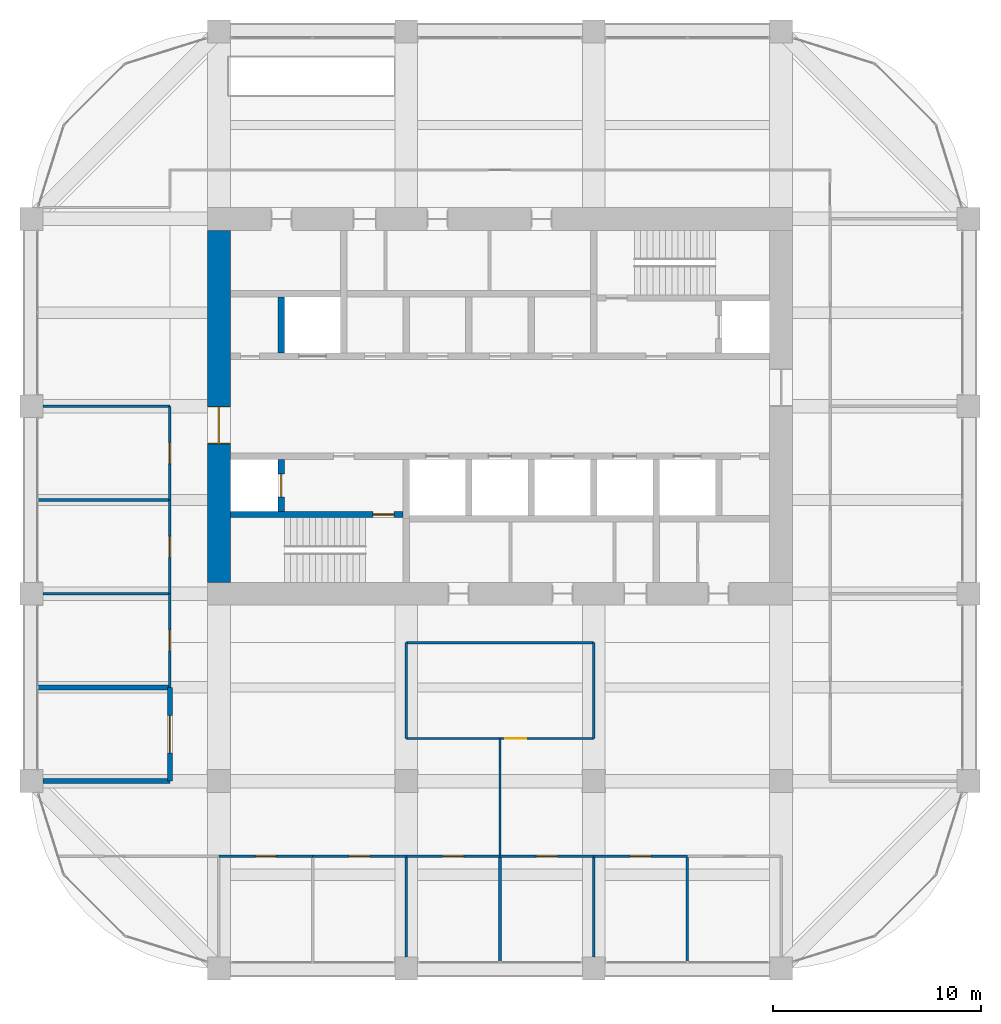
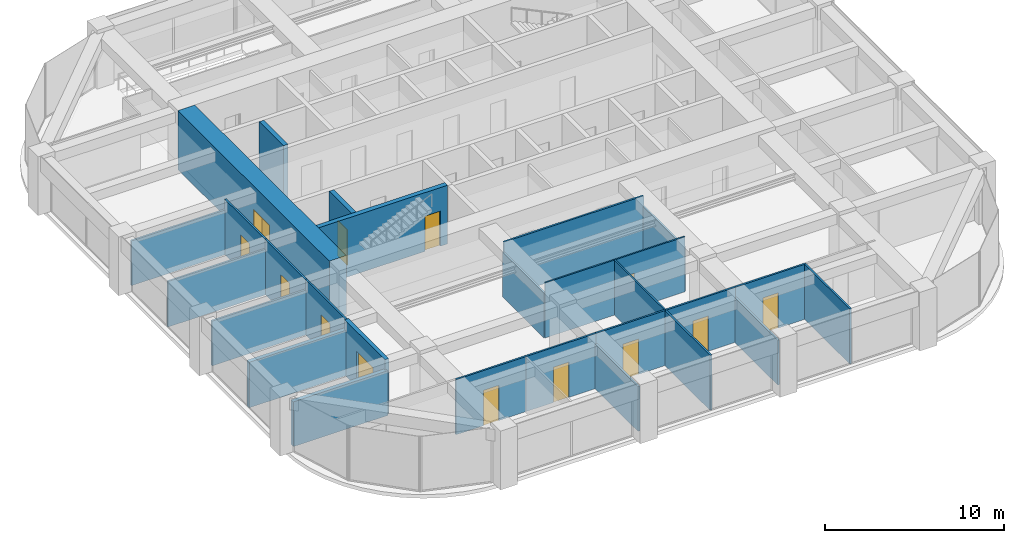
# One storey, part 41 of 44: 27 walls, 13 doors, 13 openings.
"""IFC4 building model written with IfcOpenShell, lengths in metres."""

import ifcopenshell
import ifcopenshell.guid

model = None  # the IFC model being written
_history = None  # IfcOwnerHistory: only IFC2X3 demands one
_inside = {}  # id of a spatial element -> (the spatial element, [elements in it])
_under = {}  # id of a project, library or spatial element -> (it, [spatial elements below it])
_declared = {}  # id of a project -> (the project, [libraries it declares])
_typed = {}  # id of a type object -> (the type object, [elements of that type])
_made_of = {}  # id of a material, layer set ... -> (it, [elements and type objects made of it])


def new_model(schema):
    """Start an empty IFC model of exactly this schema.

    Asked for "IFC4X3", IfcOpenShell would pick the latest addendum, in which some entities
    have other attributes; the version numbers below select the first issue.
    IFC2X3 requires an IfcOwnerHistory on every rooted entity: one is made here for all.
    """
    global model, _history
    if schema == "IFC4X3":
        model = ifcopenshell.file(schema_version=(4, 3, 0, 0))
    else:
        model = ifcopenshell.file(schema=schema)
    _inside.clear()
    _under.clear()
    _declared.clear()
    _typed.clear()
    _made_of.clear()
    _history = None
    if model.schema == "IFC2X3":
        org = make("IfcOrganization", Name="unknown")
        user = make(
            "IfcPersonAndOrganization",
            ThePerson=make("IfcPerson", FamilyName="unknown"),
            TheOrganization=org,
        )
        app = make(
            "IfcApplication",
            ApplicationDeveloper=org,
            Version="unknown",
            ApplicationFullName="unknown",
            ApplicationIdentifier="unknown",
        )
        _history = make(
            "IfcOwnerHistory",
            OwningUser=user,
            OwningApplication=app,
            ChangeAction="ADDED",
            CreationDate=0,
        )
    return model


def make(cls, **values):
    """One entity of the class cls with the attributes given. An attribute that is None is left unset."""
    return model.create_entity(
        cls, **{name: value for name, value in values.items() if value is not None}
    )


def rooted(cls, **values):
    """An entity with a GlobalId (a new one), such as an element, a storey or a relation."""
    return make(cls, GlobalId=ifcopenshell.guid.new(), OwnerHistory=_history, **values)


def si_unit(unit_type, name, prefix=None):
    """IfcSIUnit, for example si_unit("LENGTHUNIT", "METRE", prefix="MILLI")."""
    return make("IfcSIUnit", UnitType=unit_type, Prefix=prefix, Name=name)


def assignment(units):
    """IfcUnitAssignment: the units of a project."""
    return None if units is None else make("IfcUnitAssignment", Units=units)


def point(xyz):
    """IfcCartesianPoint."""
    return None if xyz is None else make("IfcCartesianPoint", Coordinates=xyz)


def direction(xyz):
    """IfcDirection."""
    return None if xyz is None else make("IfcDirection", DirectionRatios=xyz)


def frame(location, z_axis=None, x_axis=None):
    """IfcAxis2Placement3D, a coordinate frame: its origin and axes. An axis left out is left unset."""
    return make(
        "IfcAxis2Placement3D",
        Location=point(location),
        Axis=direction(z_axis),
        RefDirection=direction(x_axis),
    )


def frame_2d(location, x_axis=None):
    """IfcAxis2Placement2D, a coordinate frame in the plane: its origin and x axis."""
    return make(
        "IfcAxis2Placement2D", Location=point(location), RefDirection=direction(x_axis)
    )


def origin():
    """The frame at (0, 0, 0) with its axes left unset."""
    return frame((0.0, 0.0, 0.0))


def place(relative_to, where):
    """IfcLocalPlacement: puts the frame where relative to a parent placement (None: the world)."""
    return make(
        "IfcLocalPlacement", PlacementRelTo=relative_to, RelativePlacement=where
    )


def context(
    kind, dimensions, precision=None, world=None, true_north=None, identifier=None
):
    """IfcGeometricRepresentationContext, for example the 3D "Model" context."""
    return make(
        "IfcGeometricRepresentationContext",
        ContextIdentifier=identifier,
        ContextType=kind,
        CoordinateSpaceDimension=dimensions,
        Precision=precision,
        WorldCoordinateSystem=world,
        TrueNorth=true_north,
    )


def subcontext(parent, identifier, kind, view, scale=None):
    """IfcGeometricRepresentationSubContext, for example "Body" below "Model"."""
    return make(
        "IfcGeometricRepresentationSubContext",
        ContextIdentifier=identifier,
        ContextType=kind,
        ParentContext=parent,
        TargetScale=scale,
        TargetView=view,
    )


def project(units=None, contexts=None):
    """IfcProject with its units and contexts."""
    return rooted(
        "IfcProject",
        Name="project",
        RepresentationContexts=contexts,
        UnitsInContext=assignment(units),
    )


def spatial(cls, under=None, at=None, **own):
    """A site, building, storey or space (cls), placed at a placement, below another one or the project."""
    s = rooted(cls, ObjectPlacement=at, **own)
    if under is not None:
        _under.setdefault(under.id(), (under, []))[1].append(s)
    return s


def profile(cls, at=None, kind="AREA", **sizes):
    """A parametric profile (cls). Its sizes go by their IFC names, for example OverallWidth=200.0."""
    return make(cls, ProfileType=kind, Position=at, **sizes)


def rectangle(**sizes):
    """IfcRectangleProfileDef."""
    return profile("IfcRectangleProfileDef", **sizes)


def extrude(swept, where, along, depth):
    """IfcExtrudedAreaSolid: the profile swept, set in the frame where, extruded along a direction by depth."""
    return make(
        "IfcExtrudedAreaSolid",
        SweptArea=swept,
        Position=where,
        ExtrudedDirection=direction(along),
        Depth=depth,
    )


def shape(context_of_items, identifier, shape_type, items):
    """IfcShapeRepresentation: the items that make up one representation, for example the "Body"."""
    return make(
        "IfcShapeRepresentation",
        ContextOfItems=context_of_items,
        RepresentationIdentifier=identifier,
        RepresentationType=shape_type,
        Items=items,
    )


def material(Name=None, Category=None):
    """IfcMaterial."""
    return make("IfcMaterial", Name=Name, Category=Category)


def layer(
    of_material, thickness, ventilated=None, Name=None, Category=None, Priority=None
):
    """IfcMaterialLayer: one layer of a wall or slab, of a material (None: an air gap)."""
    return make(
        "IfcMaterialLayer",
        Material=of_material,
        LayerThickness=thickness,
        IsVentilated=ventilated,
        Name=Name,
        Category=Category,
        Priority=Priority,
    )


def layer_set(layers, Name=None):
    """IfcMaterialLayerSet."""
    return make("IfcMaterialLayerSet", MaterialLayers=layers, LayerSetName=Name)


def made_of(thing, what):
    """Note that an element or type object is made of a material, layer set ...; save() writes the relation."""
    if what is not None:
        _made_of.setdefault(what.id(), (what, []))[1].append(thing)
    return thing


def type_object(cls, material=None, **own):
    """A type object (cls), such as IfcWallType, which elements share."""
    return made_of(rooted(cls, **own), material)


def element(
    cls,
    number,
    at=None,
    inside=None,
    cuts=None,
    type_object=None,
    material=None,
    context=None,
    identifier="Body",
    shape_type=None,
    held_by="IfcProductDefinitionShape",
    body=None,
    shapes=None,
    **own,
):
    """One element of the class cls, such as IfcWall. Its Tag is "e" and its number.

    at: its placement. inside: the storey or other place that contains it. cuts: it is an
    opening in that element (IfcRelVoidsElement). A single representation is given by context,
    identifier, shape_type and body (its items); several are given by shapes. held_by: the class
    of the entity that holds the representations. save() writes the other relations.
    """
    e = rooted(cls, Tag="e%d" % number, ObjectPlacement=at, **own)
    if body is not None:
        shapes = [shape(context, identifier, shape_type, body)]
    if shapes is not None:
        e.Representation = make(held_by, Representations=shapes)
    if inside is not None:
        _inside.setdefault(inside.id(), (inside, []))[1].append(e)
    if cuts is not None:
        rooted(
            "IfcRelVoidsElement", RelatingBuildingElement=cuts, RelatedOpeningElement=e
        )
    if type_object is not None:
        _typed.setdefault(type_object.id(), (type_object, []))[1].append(e)
    return made_of(e, material)


def fill(opening, filler):
    """IfcRelFillsElement: the door or window that sits in an opening."""
    return rooted(
        "IfcRelFillsElement",
        RelatingOpeningElement=opening,
        RelatedBuildingElement=filler,
    )


def aggregate(whole, parts):
    """IfcRelAggregates: a whole, such as a stair, and the parts it consists of."""
    return rooted("IfcRelAggregates", RelatingObject=whole, RelatedObjects=parts)


def save(model, path):
    """Write the relations noted so far, then the file.

    IfcRelAggregates (storeys below a building ...), IfcRelContainedInSpatialStructure (elements
    in a storey), IfcRelDefinesByType, IfcRelAssociatesMaterial and IfcRelDeclares: one each for
    every whole, place, type object, material and project.
    """
    for whole, parts in _under.values():
        aggregate(whole, parts)
    for where, things in _inside.values():
        rooted(
            "IfcRelContainedInSpatialStructure",
            RelatedElements=things,
            RelatingStructure=where,
        )
    for kind, things in _typed.values():
        rooted("IfcRelDefinesByType", RelatedObjects=things, RelatingType=kind)
    for what, things in _made_of.values():
        rooted("IfcRelAssociatesMaterial", RelatedObjects=things, RelatingMaterial=what)
    for by, libraries in _declared.values():
        rooted("IfcRelDeclares", RelatingContext=by, RelatedDefinitions=libraries)
    model.write(path)


model = new_model("IFC4")

# Units and contexts
model_context = context("Model", 3, precision=1e-05, world=origin(), true_north=direction((0.0, 1.0)))
body_context = subcontext(model_context, "Body", "Model", "MODEL_VIEW")
ifc_project = project(units=[si_unit("LENGTHUNIT", "METRE"), si_unit("AREAUNIT", "SQUARE_METRE"), si_unit("VOLUMEUNIT", "CUBIC_METRE"), si_unit("PLANEANGLEUNIT", "RADIAN"), si_unit("MASSUNIT", "GRAM", prefix="KILO")], contexts=[model_context])

# Site, building, storey
site_placement = place(None, origin())
site = spatial("IfcSite", under=ifc_project, at=site_placement, CompositionType="ELEMENT")
building_placement = place(site_placement, origin())
building = spatial("IfcBuilding", under=site, at=building_placement, Name="Zorevar Civic Tower", CompositionType="ELEMENT")
storey_placement = place(building_placement, frame((0.0, 0.0, 275.39990234375)))
storey = spatial("IfcBuildingStorey", under=building, at=storey_placement, Name="L67", CompositionType="ELEMENT", Elevation=275.39990234375)

# Walls
ifc_material_1 = material(Name="Twin-stud acoustic wall, gypsum board")
ifc_layer_1 = layer(ifc_material_1, 0.25)
ifc_layer_set_1 = layer_set([ifc_layer_1], Name="Acoustic wall 250")
wall_type_1 = type_object("IfcWallType", Name="Acoustic wall 250", PredefinedType="PARTITIONING", material=ifc_layer_set_1)
wall_1_placement = place(storey_placement, frame((9.550048828125, 9.0, 0.0), z_axis=(0.0, 0.0, 1.0), x_axis=(1.0, 0.0, 0.0)))
element("IfcWall", 1, at=wall_1_placement, inside=storey, type_object=wall_type_1, Name="Acoustic wall 250 L67", PredefinedType="PARTITIONING", context=body_context, shape_type="SweptSolid", body=[
    extrude(rectangle(XDim=6.099853515625, YDim=0.25, at=frame_2d((3.0498046875, 0.0))), origin(), (0.0, 0.0, 1.0), 3.050048828125),
])
wall_2_placement = place(storey_placement, frame((9.31005859375, 13.5, 0.0), z_axis=(0.0, 0.0, 1.0), x_axis=(1.0, 0.0, 0.0)))
element("IfcWall", 2, at=wall_2_placement, inside=storey, type_object=wall_type_1, Name="Acoustic wall 250 L67", PredefinedType="PARTITIONING", context=body_context, shape_type="SweptSolid", body=[
    extrude(rectangle(XDim=6.33984375, YDim=0.25, at=frame_2d((3.169921875, 0.0))), origin(), (0.0, 0.0, 1.0), 3.10009765625),
])

# Wall, opening, door
wall_3_placement = place(storey_placement, frame((15.64990234375, 9.0, 0.0), z_axis=(0.0, 0.0, 1.0), x_axis=(0.0, 1.0, 0.0)))
wall_3 = element("IfcWall", 3, at=wall_3_placement, inside=storey, type_object=wall_type_1, Name="Acoustic wall 250 L67", PredefinedType="PARTITIONING", context=body_context, shape_type="SweptSolid", body=[
    extrude(rectangle(XDim=4.5, YDim=0.25, at=frame_2d((2.25, 0.0))), origin(), (0.0, 0.0, 1.0), 3.75),
])
opening_1_placement = place(wall_3_placement, frame((1.35009765625, 0.0, 0.0)))
opening_1 = element("IfcOpeningElement", 4, at=opening_1_placement, cuts=wall_3, Name="Opening L67.26", PredefinedType="OPENING", context=body_context, shape_type="SweptSolid", body=[
    extrude(rectangle(XDim=1.800048828125, YDim=2.39990234375, at=frame_2d((0.89990234375, 1.199951171875))), frame((0.0, 0.135009765625, 0.0), z_axis=(0.0, -1.0, 0.0), x_axis=(1.0, 0.0, 0.0)), (0.0, 0.0, 1.0), 0.27001953125),
])
ifc_material_2 = material(Name="Steel door set", Category="steel")
door_type_1 = type_object("IfcDoorType", Name="Door D2 1800x2400", OperationType="DOUBLE_DOOR_SINGLE_SWING", PredefinedType="DOOR", material=ifc_material_2)
door_1_placement = place(opening_1_placement, origin())
door_1 = element("IfcDoor", 5, at=door_1_placement, inside=storey, type_object=door_type_1, Name="Door L67 D1", OperationType="DOUBLE_DOOR_SINGLE_SWING", OverallHeight=2.39990234375, OverallWidth=1.800048828125, PredefinedType="DOOR", context=body_context, shape_type="SweptSolid", body=[
    extrude(rectangle(XDim=1.800048828125, YDim=2.39990234375, at=frame_2d((0.89990234375, 1.199951171875))), frame((0.0, 0.02490234375, 0.0), z_axis=(0.0, -1.0, 0.0), x_axis=(1.0, 0.0, 0.0)), (0.0, 0.0, 1.0), 0.050048828125),
])
fill(opening_1, door_1)

ifc_material_3 = material(Name="Concrete C50/60", Category="concrete")
ifc_layer_2 = layer(ifc_material_3, 1.10009765625)
ifc_layer_set_2 = layer_set([ifc_layer_2], Name="Core wall 1100")
wall_type_2 = type_object("IfcWallType", Name="Core wall 1100", PredefinedType="SHEAR", material=ifc_layer_set_2)
wall_4_placement = place(storey_placement, frame((18.0, 35.449951171875, 0.0), z_axis=(0.0, 0.0, 1.0), x_axis=(0.0, -1.0, 0.0)))
wall_4 = element("IfcWall", 6, at=wall_4_placement, inside=storey, type_object=wall_type_2, Name="Core wall W L67", PredefinedType="SHEAR", context=body_context, shape_type="SweptSolid", body=[
    extrude(rectangle(XDim=16.89990234375, YDim=1.10009765625, at=frame_2d((8.449951171875, 0.0))), origin(), (0.0, 0.0, 1.0), 4.0),
])
opening_2_placement = place(wall_4_placement, frame((8.449951171875, 0.0, 0.0)))
opening_2 = element("IfcOpeningElement", 7, at=opening_2_placement, cuts=wall_4, Name="Opening L67.01", PredefinedType="OPENING", context=body_context, shape_type="SweptSolid", body=[
    extrude(rectangle(XDim=1.800048828125, YDim=2.39990234375, at=frame_2d((0.89990234375, 1.199951171875))), frame((0.0, 0.56005859375, 0.0), z_axis=(0.0, -1.0, 0.0), x_axis=(1.0, 0.0, 0.0)), (0.0, 0.0, 1.0), 1.1201171875),
])
ifc_material_4 = material(Name="Steel door set", Category="steel")
door_type_2 = type_object("IfcDoorType", Name="Fire door FD2 1800x2400", OperationType="DOUBLE_DOOR_DOUBLE_SWING", PredefinedType="DOOR", material=ifc_material_4)
door_2_placement = place(opening_2_placement, origin())
door_2 = element("IfcDoor", 8, at=door_2_placement, inside=storey, type_object=door_type_2, Name="Door L67 00", OperationType="DOUBLE_DOOR_DOUBLE_SWING", OverallHeight=2.39990234375, OverallWidth=1.800048828125, PredefinedType="DOOR", context=body_context, shape_type="SweptSolid", body=[
    extrude(rectangle(XDim=1.800048828125, YDim=2.39990234375, at=frame_2d((0.89990234375, 1.199951171875))), frame((0.0, 0.030029296875, 0.0), z_axis=(0.0, -1.0, 0.0), x_axis=(1.0, 0.0, 0.0)), (0.0, 0.0, 1.0), 0.06005859375),
    extrude(rectangle(XDim=0.04, YDim=2.39990234375, at=frame_2d((0.02001953125, 1.199951171875))), frame((0.0, 0.5498046875, 0.0), z_axis=(0.0, -1.0, 0.0), x_axis=(1.0, 0.0, 0.0)), (0.0, 0.0, 1.0), 1.099609375),
    extrude(rectangle(XDim=0.04, YDim=2.39990234375, at=frame_2d((1.780029296875, 1.199951171875))), frame((0.0, 0.5498046875, 0.0), z_axis=(0.0, -1.0, 0.0), x_axis=(1.0, 0.0, 0.0)), (0.0, 0.0, 1.0), 1.099609375),
    extrude(rectangle(XDim=1.800048828125, YDim=0.04, at=frame_2d((0.89990234375, 2.3798828125))), frame((0.0, 0.5498046875, 0.0), z_axis=(0.0, -1.0, 0.0), x_axis=(1.0, 0.0, 0.0)), (0.0, 0.0, 1.0), 1.099609375),
])
fill(opening_2, door_2)

ifc_material_5 = material(Name="Laminated glass in black aluminium frame", Category="aluminium")
ifc_layer_3 = layer(ifc_material_5, 0.10009765625)
ifc_layer_set_3 = layer_set([ifc_layer_3], Name="Glazed partition 100")
wall_type_3 = type_object("IfcWallType", Name="Glazed partition 100", PredefinedType="PARTITIONING", material=ifc_layer_set_3)
wall_5_placement = place(storey_placement, frame((27.0, 11.050048828125, 0.0), z_axis=(0.0, 0.0, 1.0), x_axis=(1.0, 0.0, 0.0)))
wall_5 = element("IfcWall", 9, at=wall_5_placement, inside=storey, type_object=wall_type_3, Name="Glazed partition 100 L67", PredefinedType="PARTITIONING", context=body_context, shape_type="SweptSolid", body=[
    extrude(rectangle(XDim=9.0, YDim=0.10009765625, at=frame_2d((4.5, 0.0))), origin(), (0.0, 0.0, 1.0), 3.75),
])
opening_3_placement = place(wall_5_placement, frame((4.75, 0.0, 0.0)))
opening_3 = element("IfcOpeningElement", 10, at=opening_3_placement, cuts=wall_5, Name="Opening L67.24", PredefinedType="OPENING", context=body_context, shape_type="SweptSolid", body=[
    extrude(rectangle(XDim=1.0, YDim=2.39990234375, at=frame_2d((0.5, 1.199951171875))), frame((0.0, 0.06005859375, 0.0), z_axis=(0.0, -1.0, 0.0), x_axis=(1.0, 0.0, 0.0)), (0.0, 0.0, 1.0), 0.1201171875),
])
ifc_material_6 = material(Name="Timber door set", Category="wood")
door_type_3 = type_object("IfcDoorType", Name="Glazed door GD1 1000x2400", OperationType="SINGLE_SWING_LEFT", PredefinedType="DOOR", material=ifc_material_6)
door_3_placement = place(opening_3_placement, origin())
door_3 = element("IfcDoor", 11, at=door_3_placement, inside=storey, type_object=door_type_3, Name="Door L67 D1", OperationType="SINGLE_SWING_RIGHT", OverallHeight=2.39990234375, OverallWidth=1.0, PredefinedType="DOOR", context=body_context, shape_type="SweptSolid", body=[
    extrude(rectangle(XDim=1.0, YDim=2.39990234375, at=frame_2d((0.5, 1.199951171875))), frame((0.0, 0.02001953125, 0.0), z_axis=(0.0, -1.0, 0.0), x_axis=(1.0, 0.0, 0.0)), (0.0, 0.0, 1.0), 0.0400390625),
])
fill(opening_3, door_3)

# Wall
wall_6_placement = place(storey_placement, frame((31.5, 5.39990234375, 0.0), z_axis=(0.0, 0.0, 1.0), x_axis=(0.0, 1.0, 0.0)))
element("IfcWall", 12, at=wall_6_placement, inside=storey, type_object=wall_type_3, Name="Glazed partition 100 L67", PredefinedType="PARTITIONING", context=body_context, shape_type="SweptSolid", body=[
    extrude(rectangle(XDim=5.66015625, YDim=0.10009765625, at=frame_2d((2.830078125, 0.0))), origin(), (0.0, 0.0, 1.0), 3.75),
])

# Wall, opening, door
ifc_material_7 = material(Name="Concrete C40/50", Category="concrete")
ifc_layer_4 = layer(ifc_material_7, 0.300048828125)
ifc_layer_set_4 = layer_set([ifc_layer_4], Name="Inner core wall 300")
wall_type_4 = type_object("IfcWallType", Name="Inner core wall 300", PredefinedType="SHEAR", material=ifc_layer_set_4)
wall_7_placement = place(storey_placement, frame((18.550048828125, 21.800048828125, 0.0), z_axis=(0.0, 0.0, 1.0), x_axis=(1.0, 0.0, 0.0)))
wall_7 = element("IfcWall", 13, at=wall_7_placement, inside=storey, type_object=wall_type_4, Name="Inner core wall S00 L67", PredefinedType="SHEAR", context=body_context, shape_type="SweptSolid", body=[
    extrude(rectangle(XDim=8.300048828125, YDim=0.300048828125, at=frame_2d((4.14990234375, 0.0))), origin(), (0.0, 0.0, 1.0), 4.0),
])
opening_4_placement = place(wall_7_placement, frame((6.85009765625, 0.0, 0.0)))
opening_4 = element("IfcOpeningElement", 14, at=opening_4_placement, cuts=wall_7, Name="Opening L67.11", PredefinedType="OPENING", context=body_context, shape_type="SweptSolid", body=[
    extrude(rectangle(XDim=1.0, YDim=2.39990234375, at=frame_2d((0.5, 1.199951171875))), frame((0.0, 0.159912109375, 0.0), z_axis=(0.0, -1.0, 0.0), x_axis=(1.0, 0.0, 0.0)), (0.0, 0.0, 1.0), 0.320068359375),
])
ifc_material_8 = material(Name="Steel door set", Category="steel")
door_type_4 = type_object("IfcDoorType", Name="Fire door FD1 1000x2400", OperationType="SINGLE_SWING_LEFT", PredefinedType="DOOR", material=ifc_material_8)
door_4_placement = place(opening_4_placement, origin())
door_4 = element("IfcDoor", 15, at=door_4_placement, inside=storey, type_object=door_type_4, Name="Door L67 10", OperationType="SINGLE_SWING_RIGHT", OverallHeight=2.39990234375, OverallWidth=1.0, PredefinedType="DOOR", context=body_context, shape_type="SweptSolid", body=[
    extrude(rectangle(XDim=1.0, YDim=2.39990234375, at=frame_2d((0.5, 1.199951171875))), frame((0.0, 0.030029296875, 0.0), z_axis=(0.0, -1.0, 0.0), x_axis=(1.0, 0.0, 0.0)), (0.0, 0.0, 1.0), 0.06005859375),
])
fill(opening_4, door_4)

wall_8_placement = place(storey_placement, frame((21.0, 21.949951171875, 0.0), z_axis=(0.0, 0.0, 1.0), x_axis=(0.0, 1.0, 0.0)))
wall_8 = element("IfcWall", 16, at=wall_8_placement, inside=storey, type_object=wall_type_4, Name="Inner core wall S02 L67", PredefinedType="SHEAR", context=body_context, shape_type="SweptSolid", body=[
    extrude(rectangle(XDim=2.5, YDim=0.300048828125, at=frame_2d((1.25, 0.0))), origin(), (0.0, 0.0, 1.0), 4.0),
])
opening_5_placement = place(wall_8_placement, frame((0.699951171875, 0.0, 0.0)))
opening_5 = element("IfcOpeningElement", 17, at=opening_5_placement, cuts=wall_8, Name="Opening L67.FL1", PredefinedType="OPENING", context=body_context, shape_type="SweptSolid", body=[
    extrude(rectangle(XDim=1.10009765625, YDim=2.39990234375, at=frame_2d((0.550048828125, 1.199951171875))), frame((0.0, 0.159912109375, 0.0), z_axis=(0.0, -1.0, 0.0), x_axis=(1.0, 0.0, 0.0)), (0.0, 0.0, 1.0), 0.320068359375),
])
ifc_material_9 = material(Name="Steel door set", Category="steel")
door_type_5 = type_object("IfcDoorType", Name="Firefighting lift landing door LD3 1100x2400", OperationType="DOUBLE_DOOR_SLIDING", PredefinedType="DOOR", material=ifc_material_9)
door_5_placement = place(opening_5_placement, origin())
door_5 = element("IfcDoor", 18, at=door_5_placement, inside=storey, type_object=door_type_5, Name="Landing door FL1 L67", OperationType="DOUBLE_DOOR_SLIDING", OverallHeight=2.39990234375, OverallWidth=1.10009765625, PredefinedType="DOOR", context=body_context, shape_type="SweptSolid", body=[
    extrude(rectangle(XDim=1.10009765625, YDim=2.39990234375, at=frame_2d((0.550048828125, 1.199951171875))), frame((0.0, 0.030029296875, 0.0), z_axis=(0.0, -1.0, 0.0), x_axis=(1.0, 0.0, 0.0)), (0.0, 0.0, 1.0), 0.06005859375),
])
fill(opening_5, door_5)

# Wall
wall_9_placement = place(storey_placement, frame((21.0, 29.550048828125, 0.0), z_axis=(0.0, 0.0, 1.0), x_axis=(0.0, 1.0, 0.0)))
element("IfcWall", 19, at=wall_9_placement, inside=storey, type_object=wall_type_4, Name="Inner core wall N09 L67", PredefinedType="SHEAR", context=body_context, shape_type="SweptSolid", body=[
    extrude(rectangle(XDim=2.699951171875, YDim=0.300048828125, at=frame_2d((1.35009765625, 0.0))), origin(), (0.0, 0.0, 1.0), 4.0),
])

# Wall, opening, door
ifc_material_10 = material(Name="Gypsum board on steel studs", Category="steel")
ifc_layer_5 = layer(ifc_material_10, 0.1201171875)
ifc_layer_set_5 = layer_set([ifc_layer_5], Name="Partition 120")
wall_type_5 = type_object("IfcWallType", Name="Partition 120", PredefinedType="PARTITIONING", material=ifc_layer_set_5)
wall_10_placement = place(storey_placement, frame((18.0, 5.39990234375, 0.0), z_axis=(0.0, 0.0, 1.0), x_axis=(1.0, 0.0, 0.0)))
wall_10 = element("IfcWall", 20, at=wall_10_placement, inside=storey, type_object=wall_type_5, Name="Partition 120 L67", PredefinedType="PARTITIONING", context=body_context, shape_type="SweptSolid", body=[
    extrude(rectangle(XDim=4.5, YDim=0.1201171875, at=frame_2d((2.25, 0.0))), origin(), (0.0, 0.0, 1.0), 3.75),
])
opening_6_placement = place(wall_10_placement, frame((1.75, 0.0, 0.0)))
opening_6 = element("IfcOpeningElement", 21, at=opening_6_placement, cuts=wall_10, Name="Opening L67.17", PredefinedType="OPENING", context=body_context, shape_type="SweptSolid", body=[
    extrude(rectangle(XDim=1.0, YDim=2.39990234375, at=frame_2d((0.5, 1.199951171875))), frame((0.0, 0.070068359375, 0.0), z_axis=(0.0, -1.0, 0.0), x_axis=(1.0, 0.0, 0.0)), (0.0, 0.0, 1.0), 0.14013671875),
])
ifc_material_11 = material(Name="Timber door set", Category="wood")
door_type_6 = type_object("IfcDoorType", Name="Door D1 1000x2400", OperationType="SINGLE_SWING_LEFT", PredefinedType="DOOR", material=ifc_material_11)
door_6_placement = place(opening_6_placement, origin())
door_6 = element("IfcDoor", 22, at=door_6_placement, inside=storey, type_object=door_type_6, Name="Door L67 D1", OperationType="SINGLE_SWING_RIGHT", OverallHeight=2.39990234375, OverallWidth=1.0, PredefinedType="DOOR", context=body_context, shape_type="SweptSolid", body=[
    extrude(rectangle(XDim=1.0, YDim=2.39990234375, at=frame_2d((0.5, 1.199951171875))), frame((0.0, 0.02490234375, 0.0), z_axis=(0.0, -1.0, 0.0), x_axis=(1.0, 0.0, 0.0)), (0.0, 0.0, 1.0), 0.050048828125),
])
fill(opening_6, door_6)

wall_11_placement = place(storey_placement, frame((22.5, 5.39990234375, 0.0), z_axis=(0.0, 0.0, 1.0), x_axis=(1.0, 0.0, 0.0)))
wall_11 = element("IfcWall", 23, at=wall_11_placement, inside=storey, type_object=wall_type_5, Name="Partition 120 L67", PredefinedType="PARTITIONING", context=body_context, shape_type="SweptSolid", body=[
    extrude(rectangle(XDim=4.5, YDim=0.1201171875, at=frame_2d((2.25, 0.0))), origin(), (0.0, 0.0, 1.0), 3.75),
])
opening_7_placement = place(wall_11_placement, frame((1.75, 0.0, 0.0)))
opening_7 = element("IfcOpeningElement", 24, at=opening_7_placement, cuts=wall_11, Name="Opening L67.18", PredefinedType="OPENING", context=body_context, shape_type="SweptSolid", body=[
    extrude(rectangle(XDim=1.0, YDim=2.39990234375, at=frame_2d((0.5, 1.199951171875))), frame((0.0, 0.070068359375, 0.0), z_axis=(0.0, -1.0, 0.0), x_axis=(1.0, 0.0, 0.0)), (0.0, 0.0, 1.0), 0.14013671875),
])
door_7_placement = place(opening_7_placement, origin())
door_7 = element("IfcDoor", 25, at=door_7_placement, inside=storey, type_object=door_type_6, Name="Door L67 D1", OperationType="SINGLE_SWING_LEFT", OverallHeight=2.39990234375, OverallWidth=1.0, PredefinedType="DOOR", context=body_context, shape_type="SweptSolid", body=[
    extrude(rectangle(XDim=1.0, YDim=2.39990234375, at=frame_2d((0.5, 1.199951171875))), frame((0.0, 0.02490234375, 0.0), z_axis=(0.0, -1.0, 0.0), x_axis=(1.0, 0.0, 0.0)), (0.0, 0.0, 1.0), 0.050048828125),
])
fill(opening_7, door_7)

wall_12_placement = place(storey_placement, frame((27.0, 5.39990234375, 0.0), z_axis=(0.0, 0.0, 1.0), x_axis=(1.0, 0.0, 0.0)))
wall_12 = element("IfcWall", 26, at=wall_12_placement, inside=storey, type_object=wall_type_5, Name="Partition 120 L67", PredefinedType="PARTITIONING", context=body_context, shape_type="SweptSolid", body=[
    extrude(rectangle(XDim=4.5, YDim=0.1201171875, at=frame_2d((2.25, 0.0))), origin(), (0.0, 0.0, 1.0), 3.75),
])
opening_8_placement = place(wall_12_placement, frame((1.75, 0.0, 0.0)))
opening_8 = element("IfcOpeningElement", 27, at=opening_8_placement, cuts=wall_12, Name="Opening L67.19", PredefinedType="OPENING", context=body_context, shape_type="SweptSolid", body=[
    extrude(rectangle(XDim=1.0, YDim=2.39990234375, at=frame_2d((0.5, 1.199951171875))), frame((0.0, 0.070068359375, 0.0), z_axis=(0.0, -1.0, 0.0), x_axis=(1.0, 0.0, 0.0)), (0.0, 0.0, 1.0), 0.14013671875),
])
door_8_placement = place(opening_8_placement, origin())
door_8 = element("IfcDoor", 28, at=door_8_placement, inside=storey, type_object=door_type_6, Name="Door L67 D1", OperationType="SINGLE_SWING_LEFT", OverallHeight=2.39990234375, OverallWidth=1.0, PredefinedType="DOOR", context=body_context, shape_type="SweptSolid", body=[
    extrude(rectangle(XDim=1.0, YDim=2.39990234375, at=frame_2d((0.5, 1.199951171875))), frame((0.0, 0.02490234375, 0.0), z_axis=(0.0, -1.0, 0.0), x_axis=(1.0, 0.0, 0.0)), (0.0, 0.0, 1.0), 0.050048828125),
])
fill(opening_8, door_8)

wall_13_placement = place(storey_placement, frame((31.5, 5.39990234375, 0.0), z_axis=(0.0, 0.0, 1.0), x_axis=(1.0, 0.0, 0.0)))
wall_13 = element("IfcWall", 29, at=wall_13_placement, inside=storey, type_object=wall_type_5, Name="Partition 120 L67", PredefinedType="PARTITIONING", context=body_context, shape_type="SweptSolid", body=[
    extrude(rectangle(XDim=4.5, YDim=0.1201171875, at=frame_2d((2.25, 0.0))), origin(), (0.0, 0.0, 1.0), 3.75),
])
opening_9_placement = place(wall_13_placement, frame((1.75, 0.0, 0.0)))
opening_9 = element("IfcOpeningElement", 30, at=opening_9_placement, cuts=wall_13, Name="Opening L67.20", PredefinedType="OPENING", context=body_context, shape_type="SweptSolid", body=[
    extrude(rectangle(XDim=1.0, YDim=2.39990234375, at=frame_2d((0.5, 1.199951171875))), frame((0.0, 0.070068359375, 0.0), z_axis=(0.0, -1.0, 0.0), x_axis=(1.0, 0.0, 0.0)), (0.0, 0.0, 1.0), 0.14013671875),
])
door_9_placement = place(opening_9_placement, origin())
door_9 = element("IfcDoor", 31, at=door_9_placement, inside=storey, type_object=door_type_6, Name="Door L67 D1", OperationType="SINGLE_SWING_RIGHT", OverallHeight=2.39990234375, OverallWidth=1.0, PredefinedType="DOOR", context=body_context, shape_type="SweptSolid", body=[
    extrude(rectangle(XDim=1.0, YDim=2.39990234375, at=frame_2d((0.5, 1.199951171875))), frame((0.0, 0.02490234375, 0.0), z_axis=(0.0, -1.0, 0.0), x_axis=(1.0, 0.0, 0.0)), (0.0, 0.0, 1.0), 0.050048828125),
])
fill(opening_9, door_9)

wall_14_placement = place(storey_placement, frame((36.0, 5.39990234375, 0.0), z_axis=(0.0, 0.0, 1.0), x_axis=(1.0, 0.0, 0.0)))
wall_14 = element("IfcWall", 32, at=wall_14_placement, inside=storey, type_object=wall_type_5, Name="Partition 120 L67", PredefinedType="PARTITIONING", context=body_context, shape_type="SweptSolid", body=[
    extrude(rectangle(XDim=4.5, YDim=0.1201171875, at=frame_2d((2.25, 0.0))), origin(), (0.0, 0.0, 1.0), 3.75),
])
opening_10_placement = place(wall_14_placement, frame((1.75, 0.0, 0.0)))
opening_10 = element("IfcOpeningElement", 33, at=opening_10_placement, cuts=wall_14, Name="Opening L67.21", PredefinedType="OPENING", context=body_context, shape_type="SweptSolid", body=[
    extrude(rectangle(XDim=1.0, YDim=2.39990234375, at=frame_2d((0.5, 1.199951171875))), frame((0.0, 0.070068359375, 0.0), z_axis=(0.0, -1.0, 0.0), x_axis=(1.0, 0.0, 0.0)), (0.0, 0.0, 1.0), 0.14013671875),
])
door_10_placement = place(opening_10_placement, origin())
door_10 = element("IfcDoor", 34, at=door_10_placement, inside=storey, type_object=door_type_6, Name="Door L67 D1", OperationType="SINGLE_SWING_RIGHT", OverallHeight=2.39990234375, OverallWidth=1.0, PredefinedType="DOOR", context=body_context, shape_type="SweptSolid", body=[
    extrude(rectangle(XDim=1.0, YDim=2.39990234375, at=frame_2d((0.5, 1.199951171875))), frame((0.0, 0.02490234375, 0.0), z_axis=(0.0, -1.0, 0.0), x_axis=(1.0, 0.0, 0.0)), (0.0, 0.0, 1.0), 0.050048828125),
])
fill(opening_10, door_10)

# Walls
wall_15_placement = place(storey_placement, frame((27.0, 15.64990234375, 0.0), z_axis=(0.0, 0.0, 1.0), x_axis=(1.0, 0.0, 0.0)))
element("IfcWall", 35, at=wall_15_placement, inside=storey, type_object=wall_type_5, Name="Partition 120 L67", PredefinedType="PARTITIONING", context=body_context, shape_type="SweptSolid", body=[
    extrude(rectangle(XDim=9.0, YDim=0.1201171875, at=frame_2d((4.5, 0.0))), origin(), (0.0, 0.0, 1.0), 3.75),
])
wall_16_placement = place(storey_placement, frame((9.550048828125, 18.0, 0.0), z_axis=(0.0, 0.0, 1.0), x_axis=(1.0, 0.0, 0.0)))
element("IfcWall", 36, at=wall_16_placement, inside=storey, type_object=wall_type_5, Name="Partition 120 L67", PredefinedType="PARTITIONING", context=body_context, shape_type="SweptSolid", body=[
    extrude(rectangle(XDim=6.099853515625, YDim=0.1201171875, at=frame_2d((3.0498046875, 0.0))), origin(), (0.0, 0.0, 1.0), 3.050048828125),
])
wall_17_placement = place(storey_placement, frame((9.31005859375, 22.5, 0.0), z_axis=(0.0, 0.0, 1.0), x_axis=(1.0, 0.0, 0.0)))
element("IfcWall", 37, at=wall_17_placement, inside=storey, type_object=wall_type_5, Name="Partition 120 L67", PredefinedType="PARTITIONING", context=body_context, shape_type="SweptSolid", body=[
    extrude(rectangle(XDim=6.33984375, YDim=0.1201171875, at=frame_2d((3.169921875, 0.0))), origin(), (0.0, 0.0, 1.0), 3.10009765625),
])
wall_18_placement = place(storey_placement, frame((9.550048828125, 27.0, 0.0), z_axis=(0.0, 0.0, 1.0), x_axis=(1.0, 0.0, 0.0)))
element("IfcWall", 38, at=wall_18_placement, inside=storey, type_object=wall_type_5, Name="Partition 120 L67", PredefinedType="PARTITIONING", context=body_context, shape_type="SweptSolid", body=[
    extrude(rectangle(XDim=6.099853515625, YDim=0.1201171875, at=frame_2d((3.0498046875, 0.0))), origin(), (0.0, 0.0, 1.0), 3.050048828125),
])

# Wall, opening, door
wall_19_placement = place(storey_placement, frame((15.64990234375, 13.5, 0.0), z_axis=(0.0, 0.0, 1.0), x_axis=(0.0, 1.0, 0.0)))
wall_19 = element("IfcWall", 39, at=wall_19_placement, inside=storey, type_object=wall_type_5, Name="Partition 120 L67", PredefinedType="PARTITIONING", context=body_context, shape_type="SweptSolid", body=[
    extrude(rectangle(XDim=4.5, YDim=0.1201171875, at=frame_2d((2.25, 0.0))), origin(), (0.0, 0.0, 1.0), 3.75),
])
opening_11_placement = place(wall_19_placement, frame((1.75, 0.0, 0.0)))
opening_11 = element("IfcOpeningElement", 40, at=opening_11_placement, cuts=wall_19, Name="Opening L67.27", PredefinedType="OPENING", context=body_context, shape_type="SweptSolid", body=[
    extrude(rectangle(XDim=1.0, YDim=2.39990234375, at=frame_2d((0.5, 1.199951171875))), frame((0.0, 0.070068359375, 0.0), z_axis=(0.0, -1.0, 0.0), x_axis=(1.0, 0.0, 0.0)), (0.0, 0.0, 1.0), 0.14013671875),
])
door_11_placement = place(opening_11_placement, origin())
door_11 = element("IfcDoor", 41, at=door_11_placement, inside=storey, type_object=door_type_6, Name="Door L67 D1", OperationType="SINGLE_SWING_LEFT", OverallHeight=2.39990234375, OverallWidth=1.0, PredefinedType="DOOR", context=body_context, shape_type="SweptSolid", body=[
    extrude(rectangle(XDim=1.0, YDim=2.39990234375, at=frame_2d((0.5, 1.199951171875))), frame((0.0, 0.02490234375, 0.0), z_axis=(0.0, -1.0, 0.0), x_axis=(1.0, 0.0, 0.0)), (0.0, 0.0, 1.0), 0.050048828125),
])
fill(opening_11, door_11)

wall_20_placement = place(storey_placement, frame((15.64990234375, 18.0, 0.0), z_axis=(0.0, 0.0, 1.0), x_axis=(0.0, 1.0, 0.0)))
wall_20 = element("IfcWall", 42, at=wall_20_placement, inside=storey, type_object=wall_type_5, Name="Partition 120 L67", PredefinedType="PARTITIONING", context=body_context, shape_type="SweptSolid", body=[
    extrude(rectangle(XDim=4.5, YDim=0.1201171875, at=frame_2d((2.25, 0.0))), origin(), (0.0, 0.0, 1.0), 3.75),
])
opening_12_placement = place(wall_20_placement, frame((1.75, 0.0, 0.0)))
opening_12 = element("IfcOpeningElement", 43, at=opening_12_placement, cuts=wall_20, Name="Opening L67.28", PredefinedType="OPENING", context=body_context, shape_type="SweptSolid", body=[
    extrude(rectangle(XDim=1.0, YDim=2.39990234375, at=frame_2d((0.5, 1.199951171875))), frame((0.0, 0.070068359375, 0.0), z_axis=(0.0, -1.0, 0.0), x_axis=(1.0, 0.0, 0.0)), (0.0, 0.0, 1.0), 0.14013671875),
])
door_12_placement = place(opening_12_placement, origin())
door_12 = element("IfcDoor", 44, at=door_12_placement, inside=storey, type_object=door_type_6, Name="Door L67 D1", OperationType="SINGLE_SWING_LEFT", OverallHeight=2.39990234375, OverallWidth=1.0, PredefinedType="DOOR", context=body_context, shape_type="SweptSolid", body=[
    extrude(rectangle(XDim=1.0, YDim=2.39990234375, at=frame_2d((0.5, 1.199951171875))), frame((0.0, 0.02490234375, 0.0), z_axis=(0.0, -1.0, 0.0), x_axis=(1.0, 0.0, 0.0)), (0.0, 0.0, 1.0), 0.050048828125),
])
fill(opening_12, door_12)

wall_21_placement = place(storey_placement, frame((15.64990234375, 22.5, 0.0), z_axis=(0.0, 0.0, 1.0), x_axis=(0.0, 1.0, 0.0)))
wall_21 = element("IfcWall", 45, at=wall_21_placement, inside=storey, type_object=wall_type_5, Name="Partition 120 L67", PredefinedType="PARTITIONING", context=body_context, shape_type="SweptSolid", body=[
    extrude(rectangle(XDim=4.5, YDim=0.1201171875, at=frame_2d((2.25, 0.0))), origin(), (0.0, 0.0, 1.0), 3.75),
])
opening_13_placement = place(wall_21_placement, frame((1.75, 0.0, 0.0)))
opening_13 = element("IfcOpeningElement", 46, at=opening_13_placement, cuts=wall_21, Name="Opening L67.29", PredefinedType="OPENING", context=body_context, shape_type="SweptSolid", body=[
    extrude(rectangle(XDim=1.0, YDim=2.39990234375, at=frame_2d((0.5, 1.199951171875))), frame((0.0, 0.070068359375, 0.0), z_axis=(0.0, -1.0, 0.0), x_axis=(1.0, 0.0, 0.0)), (0.0, 0.0, 1.0), 0.14013671875),
])
door_13_placement = place(opening_13_placement, origin())
door_13 = element("IfcDoor", 47, at=door_13_placement, inside=storey, type_object=door_type_6, Name="Door L67 D1", OperationType="SINGLE_SWING_LEFT", OverallHeight=2.39990234375, OverallWidth=1.0, PredefinedType="DOOR", context=body_context, shape_type="SweptSolid", body=[
    extrude(rectangle(XDim=1.0, YDim=2.39990234375, at=frame_2d((0.5, 1.199951171875))), frame((0.0, 0.02490234375, 0.0), z_axis=(0.0, -1.0, 0.0), x_axis=(1.0, 0.0, 0.0)), (0.0, 0.0, 1.0), 0.050048828125),
])
fill(opening_13, door_13)

# Walls
wall_22_placement = place(storey_placement, frame((27.0, 0.550048828125, 0.0), z_axis=(0.0, 0.0, 1.0), x_axis=(0.0, 1.0, 0.0)))
element("IfcWall", 48, at=wall_22_placement, inside=storey, type_object=wall_type_5, Name="Partition 120 L67", PredefinedType="PARTITIONING", context=body_context, shape_type="SweptSolid", body=[
    extrude(rectangle(XDim=4.849853515625, YDim=0.1201171875, at=frame_2d((2.4248046875, 0.0))), origin(), (0.0, 0.0, 1.0), 3.050048828125),
])
wall_23_placement = place(storey_placement, frame((27.0, 11.050048828125, 0.0), z_axis=(0.0, 0.0, 1.0), x_axis=(0.0, 1.0, 0.0)))
element("IfcWall", 49, at=wall_23_placement, inside=storey, type_object=wall_type_5, Name="Partition 120 L67", PredefinedType="PARTITIONING", context=body_context, shape_type="SweptSolid", body=[
    extrude(rectangle(XDim=4.599853515625, YDim=0.1201171875, at=frame_2d((2.2998046875, 0.0))), origin(), (0.0, 0.0, 1.0), 3.050048828125),
])
wall_24_placement = place(storey_placement, frame((31.5, 0.31005859375, 0.0), z_axis=(0.0, 0.0, 1.0), x_axis=(0.0, 1.0, 0.0)))
element("IfcWall", 50, at=wall_24_placement, inside=storey, type_object=wall_type_5, Name="Partition 120 L67", PredefinedType="PARTITIONING", context=body_context, shape_type="SweptSolid", body=[
    extrude(rectangle(XDim=5.08984375, YDim=0.1201171875, at=frame_2d((2.544921875, 0.0))), origin(), (0.0, 0.0, 1.0), 3.75),
])
wall_25_placement = place(storey_placement, frame((36.0, 0.550048828125, 0.0), z_axis=(0.0, 0.0, 1.0), x_axis=(0.0, 1.0, 0.0)))
element("IfcWall", 51, at=wall_25_placement, inside=storey, type_object=wall_type_5, Name="Partition 120 L67", PredefinedType="PARTITIONING", context=body_context, shape_type="SweptSolid", body=[
    extrude(rectangle(XDim=4.849853515625, YDim=0.1201171875, at=frame_2d((2.4248046875, 0.0))), origin(), (0.0, 0.0, 1.0), 3.050048828125),
])
wall_26_placement = place(storey_placement, frame((36.0, 11.050048828125, 0.0), z_axis=(0.0, 0.0, 1.0), x_axis=(0.0, 1.0, 0.0)))
element("IfcWall", 52, at=wall_26_placement, inside=storey, type_object=wall_type_5, Name="Partition 120 L67", PredefinedType="PARTITIONING", context=body_context, shape_type="SweptSolid", body=[
    extrude(rectangle(XDim=4.599853515625, YDim=0.1201171875, at=frame_2d((2.2998046875, 0.0))), origin(), (0.0, 0.0, 1.0), 3.050048828125),
])
wall_27_placement = place(storey_placement, frame((40.5, 0.31005859375, 0.0), z_axis=(0.0, 0.0, 1.0), x_axis=(0.0, 1.0, 0.0)))
element("IfcWall", 53, at=wall_27_placement, inside=storey, type_object=wall_type_5, Name="Partition 120 L67", PredefinedType="PARTITIONING", context=body_context, shape_type="SweptSolid", body=[
    extrude(rectangle(XDim=5.08984375, YDim=0.1201171875, at=frame_2d((2.544921875, 0.0))), origin(), (0.0, 0.0, 1.0), 3.75),
])

save(model, "model.ifc")
